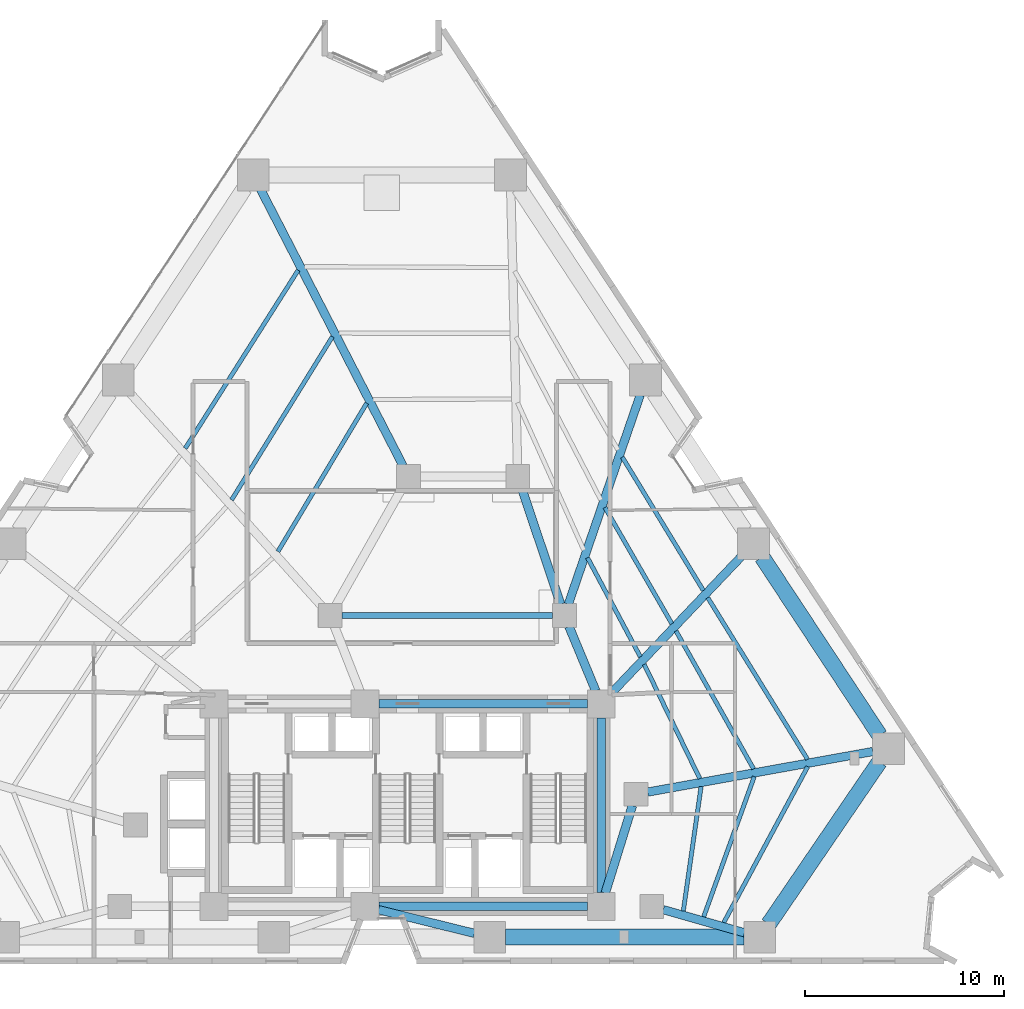
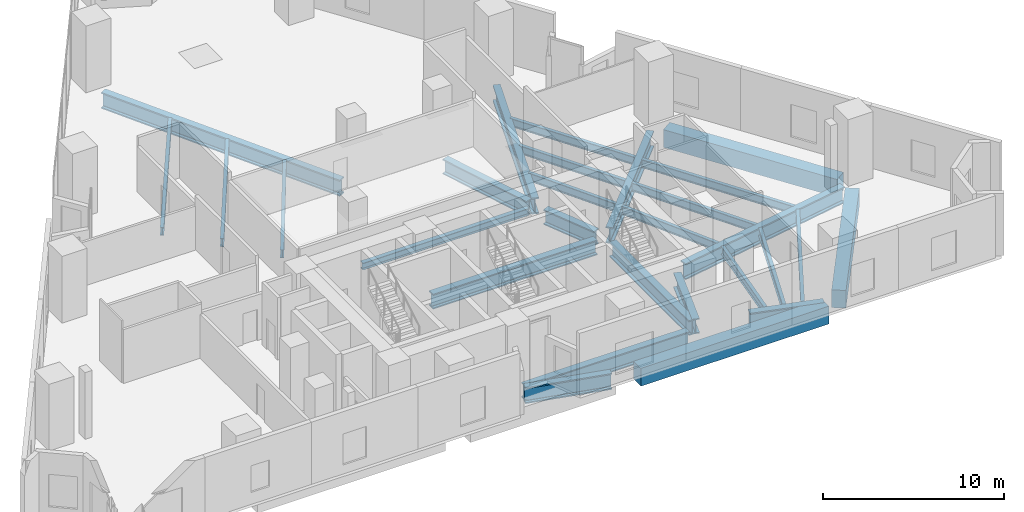
# One storey, part 3 of 12: 28 beams.
"""IFC4 building model written with IfcOpenShell, lengths in metres."""

from ifc_helpers import new_model, si_unit, direction, frame, origin, origin_2d, place, context, subcontext, project, spatial, rectangle, i_section, extrude, material, material_profile, profile_set, type_object, element, save


model = new_model("IFC4")

# Units and contexts
model_context = context("Model", 3, precision=1e-05, world=origin(), true_north=direction((0.0, 1.0)))
body_context = subcontext(model_context, "Body", "Model", "MODEL_VIEW")
ifc_project = project(units=[si_unit("LENGTHUNIT", "METRE"), si_unit("AREAUNIT", "SQUARE_METRE"), si_unit("VOLUMEUNIT", "CUBIC_METRE"), si_unit("PLANEANGLEUNIT", "RADIAN"), si_unit("MASSUNIT", "GRAM", prefix="KILO")], contexts=[model_context])

# Site, building, storey
site_placement = place(None, origin())
site = spatial("IfcSite", under=ifc_project, at=site_placement, CompositionType="ELEMENT")
building_placement = place(site_placement, origin())
building = spatial("IfcBuilding", under=site, at=building_placement, Name="Almagre Mirador Tower", CompositionType="ELEMENT")
storey_placement = place(building_placement, frame((0.0, 0.0, 12.89990234375)))
storey = spatial("IfcBuildingStorey", under=building, at=storey_placement, Name="L02", CompositionType="ELEMENT", Elevation=12.89990234375)

# Beams
ifc_material_1 = material(Name="Steel ASTM A992 Grade 50", Category="steel")
ifc_material_profile_1 = material_profile(ifc_material_1, i_section(OverallWidth=0.281982421875, OverallDepth=0.467041015625, WebThickness=0.01220703125, FlangeThickness=0.01953125, FilletRadius=0.01611328125, at=origin_2d()), Name="W18X86")
ifc_profile_set_1 = profile_set([ifc_material_profile_1], Name="Steel ASTM A992 Grade 50")
beam_type_1 = type_object("IfcBeamType", Name="BM-BAL-W18X86", PredefinedType="JOIST", material=ifc_profile_set_1)
beam_1_placement = place(storey_placement, frame((34.0, 19.199951171875, -0.533447265625), z_axis=(1.0, 0.0, 0.0), x_axis=(0.0, 1.0, 0.0)))
element("IfcBeam", 1, at=beam_1_placement, inside=storey, type_object=beam_type_1, Name="L02 secondary header beam BB-01", PredefinedType="JOIST", context=body_context, shape_type="SweptSolid", body=[
    extrude(i_section(OverallWidth=0.281982421875, OverallDepth=0.467041015625, WebThickness=0.01220703125, FlangeThickness=0.01953125, FilletRadius=0.01611328125, at=origin_2d()), origin(), (0.0, 0.0, 1.0), 10.60009765625),
])
ifc_material_2 = material(Name="Steel ASTM A992 Grade 50", Category="steel")
ifc_material_profile_2 = material_profile(ifc_material_2, i_section(OverallWidth=0.214111328125, OverallDepth=0.549072265625, WebThickness=0.0146484375, FlangeThickness=0.023681640625, FilletRadius=0.01806640625, at=origin_2d()), Name="W21X93")
ifc_profile_set_2 = profile_set([ifc_material_profile_2], Name="Steel ASTM A992 Grade 50")
beam_type_2 = type_object("IfcBeamType", Name="BM-JST-W21X93", PredefinedType="JOIST", material=ifc_profile_set_2)
beam_2_placement = place(storey_placement, frame((53.224853515625, 3.732421875, -0.574462890625), z_axis=(0.473970950785, 0.880540480508, 0.0), x_axis=(-0.880540480508, 0.473970950785, 0.0)))
element("IfcBeam", 2, at=beam_2_placement, inside=storey, type_object=beam_type_2, Name="L02 secondary floor joist PC04-PC05.1", PredefinedType="JOIST", context=body_context, shape_type="SweptSolid", body=[
    extrude(i_section(OverallWidth=0.214111328125, OverallDepth=0.549072265625, WebThickness=0.0146484375, FlangeThickness=0.023681640625, FilletRadius=0.01806640625, at=origin_2d()), origin(), (0.0, 0.0, 1.0), 8.925048828125),
])
beam_3_placement = place(storey_placement, frame((52.2138671875, 4.025146484375, -0.574462890625), z_axis=(0.339368785109, 0.940653404658, 0.0), x_axis=(-0.940653404658, 0.339368785109, 0.0)))
element("IfcBeam", 3, at=beam_3_placement, inside=storey, type_object=beam_type_2, Name="L02 secondary floor joist PC04-PC05.2", PredefinedType="JOIST", context=body_context, shape_type="SweptSolid", body=[
    extrude(i_section(OverallWidth=0.214111328125, OverallDepth=0.549072265625, WebThickness=0.0146484375, FlangeThickness=0.023681640625, FilletRadius=0.01806640625, at=origin_2d()), origin(), (0.0, 0.0, 1.0), 7.50830078125),
])
beam_4_placement = place(storey_placement, frame((51.189208984375, 4.3154296875, -0.574462890625), z_axis=(0.140978904218, 0.990012600205, 0.0), x_axis=(-0.990012600205, 0.140978904218, 0.0)))
element("IfcBeam", 4, at=beam_4_placement, inside=storey, type_object=beam_type_2, Name="L02 secondary floor joist PC04-PC05.3", PredefinedType="JOIST", context=body_context, shape_type="SweptSolid", body=[
    extrude(i_section(OverallWidth=0.214111328125, OverallDepth=0.549072265625, WebThickness=0.0146484375, FlangeThickness=0.023681640625, FilletRadius=0.01806640625, at=origin_2d()), origin(), (0.0, 0.0, 1.0), 6.334716796875),
])
beam_5_placement = place(storey_placement, frame((57.444091796875, 11.958251953125, -0.574462890625), z_axis=(-0.525163566065, 0.851001309563, 0.0), x_axis=(-0.851001309563, -0.525163566065, 0.0)))
element("IfcBeam", 5, at=beam_5_placement, inside=storey, type_object=beam_type_2, Name="L02 secondary floor joist PC05-PC06.1", PredefinedType="JOIST", context=body_context, shape_type="SweptSolid", body=[
    extrude(i_section(OverallWidth=0.214111328125, OverallDepth=0.549072265625, WebThickness=0.0146484375, FlangeThickness=0.023681640625, FilletRadius=0.01806640625, at=origin_2d()), origin(), (0.0, 0.0, 1.0), 9.56591796875),
])
beam_6_placement = place(storey_placement, frame((54.729736328125, 11.47216796875, -0.574462890625), z_axis=(-0.490313580475, 0.871546093331, 0.0), x_axis=(-0.871546093331, -0.490313580475, 0.0)))
element("IfcBeam", 6, at=beam_6_placement, inside=storey, type_object=beam_type_2, Name="L02 secondary floor joist PC05-PC06.2", PredefinedType="JOIST", context=body_context, shape_type="SweptSolid", body=[
    extrude(i_section(OverallWidth=0.214111328125, OverallDepth=0.549072265625, WebThickness=0.0146484375, FlangeThickness=0.023681640625, FilletRadius=0.01806640625, at=origin_2d()), origin(), (0.0, 0.0, 1.0), 7.972412109375),
])
beam_7_placement = place(storey_placement, frame((52.019287109375, 10.987548828125, -0.574462890625), z_axis=(-0.437849242012, 0.899048408746, 0.0), x_axis=(-0.899048408746, -0.437849242012, 0.0)))
element("IfcBeam", 7, at=beam_7_placement, inside=storey, type_object=beam_type_2, Name="L02 secondary floor joist PC05-PC06.3", PredefinedType="JOIST", context=body_context, shape_type="SweptSolid", body=[
    extrude(i_section(OverallWidth=0.214111328125, OverallDepth=0.549072265625, WebThickness=0.0146484375, FlangeThickness=0.023681640625, FilletRadius=0.01806640625, at=origin_2d()), origin(), (0.0, 0.0, 1.0), 6.39892578125),
])
beam_8_placement = place(storey_placement, frame((52.198974609375, 20.46044921875, -0.574462890625), z_axis=(-0.51960112959, 0.854408957191, 0.0), x_axis=(-0.854408957191, -0.51960112959, 0.0)))
element("IfcBeam", 8, at=beam_8_placement, inside=storey, type_object=beam_type_2, Name="L02 secondary floor joist PC06-PC07.1", PredefinedType="JOIST", context=body_context, shape_type="SweptSolid", body=[
    extrude(i_section(OverallWidth=0.214111328125, OverallDepth=0.549072265625, WebThickness=0.0146484375, FlangeThickness=0.023681640625, FilletRadius=0.01806640625, at=origin_2d()), origin(), (0.0, 0.0, 1.0), 7.8623046875),
])
beam_9_placement = place(storey_placement, frame((50.611083984375, 18.7890625, -0.574462890625), z_axis=(-0.498949643049, 0.866630978965, 0.0), x_axis=(-0.866630978965, -0.498949643049, 0.0)))
element("IfcBeam", 9, at=beam_9_placement, inside=storey, type_object=beam_type_2, Name="L02 secondary floor joist PC06-PC07.2", PredefinedType="JOIST", context=body_context, shape_type="SweptSolid", body=[
    extrude(i_section(OverallWidth=0.214111328125, OverallDepth=0.549072265625, WebThickness=0.0146484375, FlangeThickness=0.023681640625, FilletRadius=0.01806640625, at=origin_2d()), origin(), (0.0, 0.0, 1.0), 6.7568359375),
])
beam_10_placement = place(storey_placement, frame((49.02490234375, 17.118408203125, -0.574462890625), z_axis=(-0.470314940672, 0.882498643954, 0.0), x_axis=(-0.882498643954, -0.470314940672, 0.0)))
element("IfcBeam", 10, at=beam_10_placement, inside=storey, type_object=beam_type_2, Name="L02 secondary floor joist PC06-PC07.3", PredefinedType="JOIST", context=body_context, shape_type="SweptSolid", body=[
    extrude(i_section(OverallWidth=0.214111328125, OverallDepth=0.549072265625, WebThickness=0.0146484375, FlangeThickness=0.023681640625, FilletRadius=0.01806640625, at=origin_2d()), origin(), (0.0, 0.0, 1.0), 5.6572265625),
])
beam_11_placement = place(storey_placement, frame((31.787109375, 36.593505859375, -0.574462890625), z_axis=(-0.535447286046, -0.844568649588, 0.0), x_axis=(0.844568649588, -0.535447286046, 0.0)))
element("IfcBeam", 11, at=beam_11_placement, inside=storey, type_object=beam_type_2, Name="L02 secondary floor joist PC09-PC10.1", PredefinedType="JOIST", context=body_context, shape_type="SweptSolid", body=[
    extrude(i_section(OverallWidth=0.214111328125, OverallDepth=0.549072265625, WebThickness=0.0146484375, FlangeThickness=0.023681640625, FilletRadius=0.01806640625, at=origin_2d()), origin(), (0.0, 0.0, 1.0), 10.624267578125),
])
beam_12_placement = place(storey_placement, frame((33.51416015625, 33.245849609375, -0.574462890625), z_axis=(-0.525607423232, -0.850727239862, 0.0), x_axis=(0.850727239862, -0.525607423232, 0.0)))
element("IfcBeam", 12, at=beam_12_placement, inside=storey, type_object=beam_type_2, Name="L02 secondary floor joist PC09-PC10.2", PredefinedType="JOIST", context=body_context, shape_type="SweptSolid", body=[
    extrude(i_section(OverallWidth=0.214111328125, OverallDepth=0.549072265625, WebThickness=0.0146484375, FlangeThickness=0.023681640625, FilletRadius=0.01806640625, at=origin_2d()), origin(), (0.0, 0.0, 1.0), 9.6650390625),
])
beam_13_placement = place(storey_placement, frame((35.241455078125, 29.89794921875, -0.574462890625), z_axis=(-0.513571852625, -0.858046590921, 0.0), x_axis=(0.858046590921, -0.513571852625, 0.0)))
element("IfcBeam", 13, at=beam_13_placement, inside=storey, type_object=beam_type_2, Name="L02 secondary floor joist PC09-PC10.3", PredefinedType="JOIST", context=body_context, shape_type="SweptSolid", body=[
    extrude(i_section(OverallWidth=0.214111328125, OverallDepth=0.549072265625, WebThickness=0.0146484375, FlangeThickness=0.023681640625, FilletRadius=0.01806640625, at=origin_2d()), origin(), (0.0, 0.0, 1.0), 8.70751953125),
])
ifc_material_3 = material(Name="Precast concrete C50/60", Category="concrete")
ifc_material_profile_3 = material_profile(ifc_material_3, rectangle(XDim=0.800048828125, YDim=1.199951171875, at=origin_2d()), Name="RC800X1200")
ifc_profile_set_3 = profile_set([ifc_material_profile_3], Name="Precast concrete C50/60")
beam_type_3 = type_object("IfcBeamType", Name="BM-SPN-RC800X1200", PredefinedType="SPANDREL", material=ifc_profile_set_3)
beam_14_placement = place(storey_placement, frame((42.239990234375, 3.0, -0.89990234375), z_axis=(1.0, 0.0, 0.0), x_axis=(0.0, 1.0, 0.0)))
element("IfcBeam", 14, at=beam_14_placement, inside=storey, type_object=beam_type_3, Name="L02 perimeter spandrel beam PC03-PC04", PredefinedType="SPANDREL", context=body_context, shape_type="SweptSolid", body=[
    extrude(rectangle(XDim=0.800048828125, YDim=1.199951171875, at=origin_2d()), origin(), (0.0, 0.0, 1.0), 12.0),
])
beam_15_placement = place(storey_placement, frame((55.490966796875, 3.660888671875, -0.89990234375), z_axis=(0.563695189414, 0.825982889309, 0.0), x_axis=(-0.825982889309, 0.563695189414, 0.0)))
element("IfcBeam", 15, at=beam_15_placement, inside=storey, type_object=beam_type_3, Name="L02 perimeter spandrel beam PC04-PC05", PredefinedType="SPANDREL", context=body_context, shape_type="SweptSolid", body=[
    extrude(rectangle(XDim=0.800048828125, YDim=1.199951171875, at=origin_2d()), origin(), (0.0, 0.0, 1.0), 9.891845703125),
])
beam_16_placement = place(storey_placement, frame((61.077880859375, 13.159912109375, -0.89990234375), z_axis=(-0.550204417923, 0.835029998562, 0.0), x_axis=(-0.835029998562, -0.550204417923, 0.0)))
element("IfcBeam", 16, at=beam_16_placement, inside=storey, type_object=beam_type_3, Name="L02 perimeter spandrel beam PC05-PC06", PredefinedType="SPANDREL", context=body_context, shape_type="SweptSolid", body=[
    extrude(rectangle(XDim=0.800048828125, YDim=1.199951171875, at=origin_2d()), origin(), (0.0, 0.0, 1.0), 10.759033203125),
])
ifc_material_4 = material(Name="Steel ASTM A992 Grade 50", Category="steel")
ifc_material_profile_4 = material_profile(ifc_material_4, i_section(OverallWidth=0.43701171875, OverallDepth=1.010986328125, WebThickness=0.041015625, FlangeThickness=0.073974609375, FilletRadius=0.028076171875, at=origin_2d()), Name="W36X529")
ifc_profile_set_4 = profile_set([ifc_material_profile_4], Name="Steel ASTM A992 Grade 50")
beam_type_4 = type_object("IfcBeamType", Name="BM-STL-W36X529", PredefinedType="BEAM", material=ifc_profile_set_4)
for number, where, z_axis, x_axis, name in (
    (17, (35.85009765625, 4.550048828125, -0.805419921875), (1.0, 0.0, 0.0), (0.0, 1.0, 0.0), "L02 core tie girder CC2-CC3"),
    (18, (35.85009765625, 14.75, -0.805419921875), (1.0, 0.0, 0.0), (0.0, 1.0, 0.0), "L02 core tie girder CC5-CC6"),
):
    element("IfcBeam", number, at=place(storey_placement, frame(where, z_axis=z_axis, x_axis=x_axis)), inside=storey, type_object=beam_type_4, Name=name, PredefinedType="BEAM", context=body_context, shape_type="SweptSolid", body=[
        extrude(i_section(OverallWidth=0.43701171875, OverallDepth=1.010986328125, WebThickness=0.041015625, FlangeThickness=0.073974609375, FilletRadius=0.028076171875, at=origin_2d()), origin(), (0.0, 0.0, 1.0), 10.5),
    ])
beam_17_placement = place(storey_placement, frame((47.050048828125, 5.25, -0.805419921875), z_axis=(0.0, 1.0, 0.0), x_axis=(-1.0, 0.0, 0.0)))
element("IfcBeam", 19, at=beam_17_placement, inside=storey, type_object=beam_type_4, Name="L02 core tie girder CC3-CC6", PredefinedType="BEAM", context=body_context, shape_type="SweptSolid", body=[
    extrude(i_section(OverallWidth=0.43701171875, OverallDepth=1.010986328125, WebThickness=0.041015625, FlangeThickness=0.073974609375, FilletRadius=0.028076171875, at=origin_2d()), origin(), (0.0, 0.0, 1.0), 8.800048828125),
])
beam_18_placement = place(storey_placement, frame((48.62255859375, 9.626953125, -0.805419921875), z_axis=(-0.295888328273, -0.955222538046, 0.0), x_axis=(0.955222538046, -0.295888328273, 0.0)))
element("IfcBeam", 20, at=beam_18_placement, inside=storey, type_object=beam_type_4, Name="L02 core tie girder MC3-CC3", PredefinedType="BEAM", context=body_context, shape_type="SweptSolid", body=[
    extrude(i_section(OverallWidth=0.43701171875, OverallDepth=1.010986328125, WebThickness=0.041015625, FlangeThickness=0.073974609375, FilletRadius=0.028076171875, at=origin_2d()), origin(), (0.0, 0.0, 1.0), 4.61474609375),
])
beam_19_placement = place(storey_placement, frame((45.430419921875, 18.64599609375, -0.805419921875), z_axis=(0.383856635851, -0.923392702545, 0.0), x_axis=(0.923392702545, 0.383856635851, 0.0)))
element("IfcBeam", 21, at=beam_19_placement, inside=storey, type_object=beam_type_4, Name="L02 core tie girder MC5-CC6", PredefinedType="BEAM", context=body_context, shape_type="SweptSolid", body=[
    extrude(i_section(OverallWidth=0.43701171875, OverallDepth=1.010986328125, WebThickness=0.041015625, FlangeThickness=0.073974609375, FilletRadius=0.028076171875, at=origin_2d()), origin(), (0.0, 0.0, 1.0), 3.51904296875),
])
beam_20_placement = place(storey_placement, frame((43.041015625, 25.631103515625, -0.805419921875), z_axis=(0.318252395552, -0.948006019351, 0.0), x_axis=(0.948006019351, 0.318252395552, 0.0)))
element("IfcBeam", 22, at=beam_20_placement, inside=storey, type_object=beam_type_4, Name="L02 core tie girder MC6-MC5", PredefinedType="BEAM", context=body_context, shape_type="SweptSolid", body=[
    extrude(i_section(OverallWidth=0.43701171875, OverallDepth=1.010986328125, WebThickness=0.041015625, FlangeThickness=0.073974609375, FilletRadius=0.028076171875, at=origin_2d()), origin(), (0.0, 0.0, 1.0), 6.183837890625),
])
ifc_material_5 = material(Name="Steel ASTM A913 Grade 65", Category="steel")
ifc_material_profile_5 = material_profile(ifc_material_5, i_section(OverallWidth=0.424072265625, OverallDepth=1.092041015625, WebThickness=0.04541015625, FlangeThickness=0.08203125, FilletRadius=0.030029296875, at=origin_2d()), Name="W40X593")
ifc_profile_set_5 = profile_set([ifc_material_profile_5], Name="Steel ASTM A913 Grade 65")
beam_type_5 = type_object("IfcBeamType", Name="BM-STL-W40X593", PredefinedType="BEAM", material=ifc_profile_set_5)
beam_21_placement = place(storey_placement, frame((40.6630859375, 3.19140625, -0.845947265625), z_axis=(-0.970950577001, 0.239280122497, 0.0), x_axis=(-0.239280122497, -0.970950577001, 0.0)))
element("IfcBeam", 23, at=beam_21_placement, inside=storey, type_object=beam_type_5, Name="L02 radial floor girder PC03-CC2", PredefinedType="BEAM", context=body_context, shape_type="SweptSolid", body=[
    extrude(i_section(OverallWidth=0.424072265625, OverallDepth=1.092041015625, WebThickness=0.04541015625, FlangeThickness=0.08203125, FilletRadius=0.030029296875, at=origin_2d()), origin(), (0.0, 0.0, 1.0), 4.97802734375),
])
beam_22_placement = place(storey_placement, frame((54.2705078125, 3.21923828125, -0.845947265625), z_axis=(-0.961729302972, 0.274001364603, 0.0), x_axis=(-0.274001364603, -0.961729302972, 0.0)))
element("IfcBeam", 24, at=beam_22_placement, inside=storey, type_object=beam_type_5, Name="L02 radial floor girder PC04-MC2", PredefinedType="BEAM", context=body_context, shape_type="SweptSolid", body=[
    extrude(i_section(OverallWidth=0.424072265625, OverallDepth=1.092041015625, WebThickness=0.04541015625, FlangeThickness=0.08203125, FilletRadius=0.030029296875, at=origin_2d()), origin(), (0.0, 0.0, 1.0), 4.25634765625),
])
beam_23_placement = place(storey_placement, frame((60.730712890625, 12.35009765625, -0.845947265625), z_axis=(-0.984146362442, -0.177358217438, 0.0), x_axis=(0.177358217438, -0.984146362442, 0.0)))
element("IfcBeam", 25, at=beam_23_placement, inside=storey, type_object=beam_type_5, Name="L02 radial floor girder PC05-MC3", PredefinedType="BEAM", context=body_context, shape_type="SweptSolid", body=[
    extrude(i_section(OverallWidth=0.424072265625, OverallDepth=1.092041015625, WebThickness=0.04541015625, FlangeThickness=0.08203125, FilletRadius=0.030029296875, at=origin_2d()), origin(), (0.0, 0.0, 1.0), 11.52294921875),
])
beam_24_placement = place(storey_placement, frame((54.166748046875, 22.232421875, -0.845947265625), z_axis=(-0.689169924888, -0.724599761683, 0.0), x_axis=(0.724599761683, -0.689169924888, 0.0)))
element("IfcBeam", 26, at=beam_24_placement, inside=storey, type_object=beam_type_5, Name="L02 radial floor girder PC06-CC6", PredefinedType="BEAM", context=body_context, shape_type="SweptSolid", body=[
    extrude(i_section(OverallWidth=0.424072265625, OverallDepth=1.092041015625, WebThickness=0.04541015625, FlangeThickness=0.08203125, FilletRadius=0.030029296875, at=origin_2d()), origin(), (0.0, 0.0, 1.0), 9.62646484375),
])
beam_25_placement = place(storey_placement, frame((49.01806640625, 30.311279296875, -0.845947265625), z_axis=(-0.324964711331, -0.945726142384, 0.0), x_axis=(0.945726142384, -0.324964711331, 0.0)))
element("IfcBeam", 27, at=beam_25_placement, inside=storey, type_object=beam_type_5, Name="L02 radial floor girder PC07-MC5", PredefinedType="BEAM", context=body_context, shape_type="SweptSolid", body=[
    extrude(i_section(OverallWidth=0.424072265625, OverallDepth=1.092041015625, WebThickness=0.04541015625, FlangeThickness=0.08203125, FilletRadius=0.030029296875, at=origin_2d()), origin(), (0.0, 0.0, 1.0), 11.14892578125),
])
beam_26_placement = place(storey_placement, frame((29.888427734375, 40.677001953125, -0.845947265625), z_axis=(0.458142935094, -0.888878535585, 0.0), x_axis=(0.888878535585, 0.458142935094, 0.0)))
element("IfcBeam", 28, at=beam_26_placement, inside=storey, type_object=beam_type_5, Name="L02 radial floor girder PC09-MC7", PredefinedType="BEAM", context=body_context, shape_type="SweptSolid", body=[
    extrude(i_section(OverallWidth=0.424072265625, OverallDepth=1.092041015625, WebThickness=0.04541015625, FlangeThickness=0.08203125, FilletRadius=0.030029296875, at=origin_2d()), origin(), (0.0, 0.0, 1.0), 15.686767578125),
])

save(model, "model.ifc")
